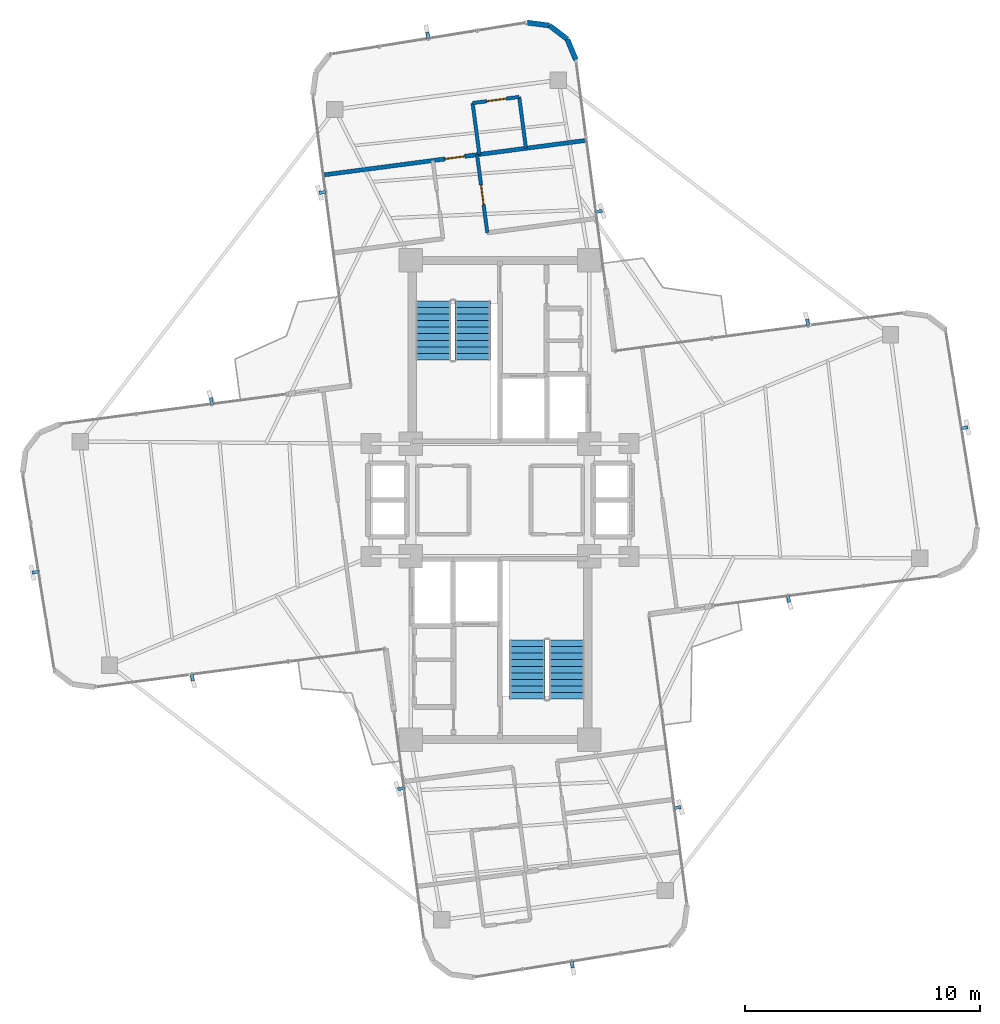
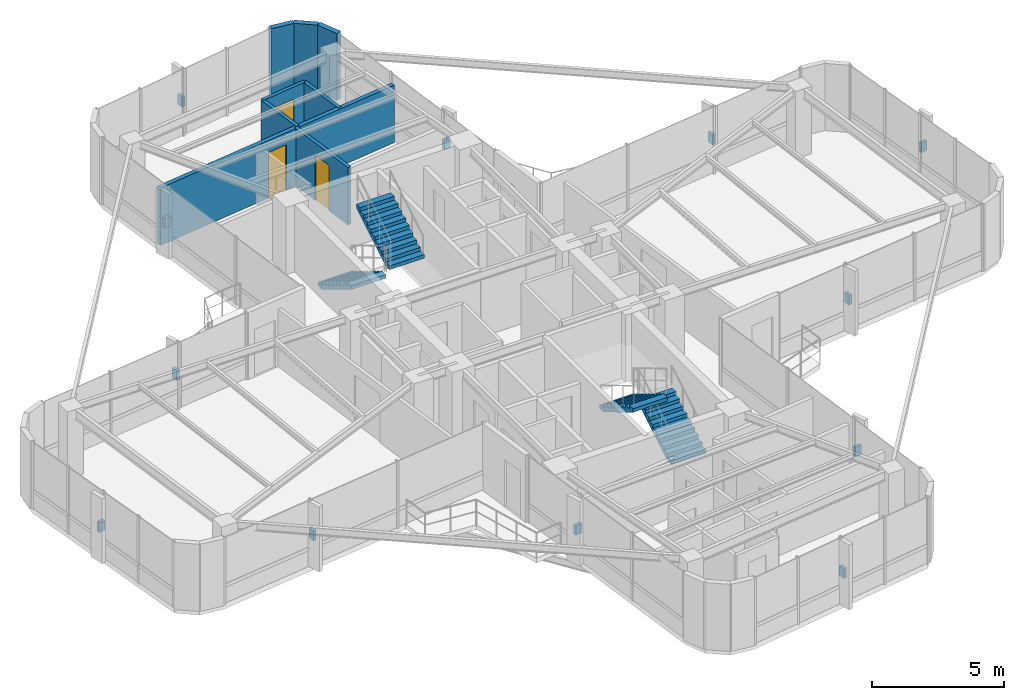
# One storey, part 20 of 21: 12 discrete accessories, 8 walls, 4 stair flights, 3 doors, 3 openings, 2 elements without a shape of their own.
"""IFC4 building model written with IfcOpenShell, lengths in metres."""

from ifc_helpers import new_model, si_unit, direction, frame, frame_2d, origin, origin_2d, place, context, subcontext, project, spatial, polyline, rectangle, outline, extrude, source, transform, mapped, material, layer, layer_set, type_object, element, fill, aggregate, save


model = new_model("IFC4")

# Units and contexts
model_context = context("Model", 3, precision=1e-05, world=origin(), true_north=direction((0.0, 1.0)))
body_context = subcontext(model_context, "Body", "Model", "MODEL_VIEW")
ifc_project = project(units=[si_unit("LENGTHUNIT", "METRE"), si_unit("AREAUNIT", "SQUARE_METRE"), si_unit("VOLUMEUNIT", "CUBIC_METRE"), si_unit("PLANEANGLEUNIT", "RADIAN"), si_unit("MASSUNIT", "GRAM", prefix="KILO")], contexts=[model_context])

# Site, building, storey
site_placement = place(None, origin())
site = spatial("IfcSite", under=ifc_project, at=site_placement, CompositionType="ELEMENT")
building_placement = place(site_placement, origin())
building = spatial("IfcBuilding", under=site, at=building_placement, Name="Sahyath Konkavel Grand Hotel", CompositionType="ELEMENT")
storey_placement = place(building_placement, frame((0.0, 0.0, 213.199951171875)))
storey = spatial("IfcBuildingStorey", under=building, at=storey_placement, Name="L59", CompositionType="ELEMENT", Elevation=213.199951171875)

# Walls
ifc_material_1 = material(Name="Warm Buff Sandstone Insulated Concrete C40/50", Category="masonry")
ifc_layer_1 = layer(ifc_material_1, 0.219970703125)
ifc_layer_set_1 = layer_set([ifc_layer_1], Name="Warm Buff Sandstone Insulated Concrete C40/50")
wall_type_1 = type_object("IfcWallType", Name="WLL-BALC-THRESH", PredefinedType="STANDARD", material=ifc_layer_set_1)
for number, where, z_axis, x_axis, name in (
    (1, (3.232666015625, 18.732177734375, 0.0), (0.0, 0.0, 1.0), (-0.382659506909, 0.923889442397, 0.0), "L59 Rounded Corner Sandstone Pier 9"),
    (2, (2.8662109375, 19.616943359375, 0.0), (0.0, 0.0, 1.0), (-0.793343685778, 0.608774010809, 0.0), "L59 Rounded Corner Sandstone Pier 10"),
    (3, (2.1064453125, 20.199951171875, 0.0), (0.0, 0.0, 1.0), (-0.991444747987, 0.130527053476, 0.0), "L59 Rounded Corner Sandstone Pier 11"),
):
    element("IfcWall", number, at=place(storey_placement, frame(where, z_axis=z_axis, x_axis=x_axis)), inside=storey, type_object=wall_type_1, Name=name, PredefinedType="STANDARD", context=body_context, shape_type="SweptSolid", body=[
        extrude(rectangle(XDim=0.957763671875, YDim=0.219970703125, at=frame_2d((0.47900390625, 0.0))), origin(), (0.0, 0.0, 1.0), 3.110107421875),
    ])

# Wall, opening, door
ifc_material_2 = material(Name="Twin-Stud Acoustic Gypsum Plasterboard Partition")
ifc_layer_2 = layer(ifc_material_2, 0.179931640625)
ifc_layer_set_2 = layer_set([ifc_layer_2], Name="Twin-Stud Acoustic Gypsum Plasterboard Partition")
wall_type_2 = type_object("IfcWallType", Name="WLL-DEMISE-180", PredefinedType="PARTITIONING", material=ifc_layer_set_2)
wall_1_placement = place(storey_placement, frame((3.63330078125, 15.30517578125, 0.0), z_axis=(0.0, 0.0, 1.0), x_axis=(-0.991444350479, -0.130530072791, 0.0)))
wall_1 = element("IfcWall", 4, at=wall_1_placement, inside=storey, type_object=wall_type_2, Name="L59 Partition N-NTIP-END", PredefinedType="PARTITIONING", context=body_context, shape_type="SweptSolid", body=[
    extrude(rectangle(XDim=11.19970703125, YDim=0.179931640625, at=frame_2d((5.599853515625, 0.0))), origin(), (0.0, 0.0, 1.0), 2.66015625),
])
opening_1_placement = place(wall_1_placement, frame((5.175048828125, 0.0, 0.0)))
opening_1 = element("IfcOpeningElement", 5, at=opening_1_placement, cuts=wall_1, Name="Opening D-F06D", PredefinedType="OPENING", context=body_context, shape_type="SweptSolid", body=[
    extrude(rectangle(XDim=0.85009765625, YDim=2.10009765625, at=frame_2d((0.425048828125, 1.050048828125))), frame((0.0, 0.10009765625, 0.0), z_axis=(0.0, -1.0, 0.0), x_axis=(1.0, 0.0, 0.0)), (0.0, 0.0, 1.0), 0.199951171875),
])
ifc_material_3 = material(Name="Fire-Rated Shaft Access Door")
door_type_1 = type_object("IfcDoorType", Name="DR-FD60-850", OperationType="NOTDEFINED", PredefinedType="DOOR", material=ifc_material_3)
shared_shape_1 = source(origin(), body_context, "Body", "SweptSolid", [
    extrude(rectangle(XDim=0.85009765625, YDim=0.050048828125, at=origin_2d()), origin(), (0.0, 0.0, 1.0), 2.10009765625),
])
door_1_placement = place(opening_1_placement, frame((0.425048828125, 0.0, 0.0)))
door_1 = element("IfcDoor", 6, at=door_1_placement, inside=storey, type_object=door_type_1, Name="L59 Door N-NTIP-ED", OperationType="SINGLE_SWING_RIGHT", OverallHeight=2.10009765625, OverallWidth=0.85009765625, PredefinedType="DOOR", context=body_context, shape_type="MappedRepresentation", body=[
    mapped(shared_shape_1, transform((0.0, 0.0, 0.0), scale=1.0)),
])
fill(opening_1, door_1)

ifc_material_4 = material(Name="Fire-Rated Gypsum Plasterboard Partition")
ifc_layer_3 = layer(ifc_material_4, 0.14990234375)
ifc_layer_set_3 = layer_set([ifc_layer_3], Name="Fire-Rated Gypsum Plasterboard Partition")
wall_type_3 = type_object("IfcWallType", Name="WLL-PART-150", PredefinedType="PARTITIONING", material=ifc_layer_set_3)
wall_2_placement = place(storey_placement, frame((-0.53955078125, 11.376953125, 0.0), z_axis=(0.0, 0.0, 1.0), x_axis=(-0.130526150873, 0.991444866817, 0.0)))
wall_2 = element("IfcWall", 7, at=wall_2_placement, inside=storey, type_object=wall_type_3, Name="L59 Partition N-CR", PredefinedType="PARTITIONING", context=body_context, shape_type="SweptSolid", body=[
    extrude(rectangle(XDim=3.349853515625, YDim=0.14990234375, at=frame_2d((1.6748046875, 0.0))), origin(), (0.0, 0.0, 1.0), 2.66015625),
])
opening_2_placement = place(wall_2_placement, frame((1.199951171875, 0.0, 0.0)))
opening_2 = element("IfcOpeningElement", 8, at=opening_2_placement, cuts=wall_2, Name="Opening D-F06D", PredefinedType="OPENING", context=body_context, shape_type="SweptSolid", body=[
    extrude(rectangle(XDim=0.85009765625, YDim=2.10009765625, at=frame_2d((0.425048828125, 1.050048828125))), frame((0.0, 0.0849609375, 0.0), z_axis=(0.0, -1.0, 0.0), x_axis=(1.0, 0.0, 0.0)), (0.0, 0.0, 1.0), 0.169921875),
])
door_2_placement = place(opening_2_placement, frame((0.425048828125, 0.0, 0.0)))
door_2 = element("IfcDoor", 9, at=door_2_placement, inside=storey, type_object=door_type_1, Name="L59 Door N-NS3R-D", OperationType="SINGLE_SWING_RIGHT", OverallHeight=2.10009765625, OverallWidth=0.85009765625, PredefinedType="DOOR", context=body_context, shape_type="MappedRepresentation", body=[
    mapped(shared_shape_1, transform((0.0, 0.0, 0.0), scale=1.0)),
])
fill(opening_2, door_2)

# Walls
wall_3_placement = place(storey_placement, frame((-0.877685546875, 14.711181640625, 0.0), z_axis=(0.0, 0.0, 1.0), x_axis=(-0.13053183865, 0.991444117991, 0.0)))
element("IfcWall", 10, at=wall_3_placement, inside=storey, type_object=wall_type_3, Name="L59 Partition N-NTIP-BN", PredefinedType="PARTITIONING", context=body_context, shape_type="SweptSolid", body=[
    extrude(rectangle(XDim=2.205078125, YDim=0.14990234375, at=frame_2d((1.1025390625, 0.0))), origin(), (0.0, 0.0, 1.0), 2.66015625),
])
wall_4_placement = place(storey_placement, frame((1.105224609375, 14.972412109375, 0.0), z_axis=(0.0, 0.0, 1.0), x_axis=(-0.130546168268, 0.991442231272, 0.0)))
element("IfcWall", 11, at=wall_4_placement, inside=storey, type_object=wall_type_3, Name="L59 Partition N-NTIP-BS", PredefinedType="PARTITIONING", context=body_context, shape_type="SweptSolid", body=[
    extrude(rectangle(XDim=2.204833984375, YDim=0.14990234375, at=frame_2d((1.1025390625, 0.0))), origin(), (0.0, 0.0, 1.0), 2.66015625),
])

# Wall, opening, door
wall_5_placement = place(storey_placement, frame((0.8173828125, 17.158447265625, 0.0), z_axis=(0.0, 0.0, 1.0), x_axis=(-0.991449308994, -0.130492404742, 0.0)))
wall_5 = element("IfcWall", 12, at=wall_5_placement, inside=storey, type_object=wall_type_3, Name="L59 Partition N-NTIP-BE", PredefinedType="PARTITIONING", context=body_context, shape_type="SweptSolid", body=[
    extrude(rectangle(XDim=2.0, YDim=0.14990234375, at=frame_2d((1.0, 0.0))), origin(), (0.0, 0.0, 1.0), 2.66015625),
])
opening_3_placement = place(wall_5_placement, frame((0.550048828125, 0.0, 0.0)))
opening_3 = element("IfcOpeningElement", 13, at=opening_3_placement, cuts=wall_5, Name="Opening D-BT85", PredefinedType="OPENING", context=body_context, shape_type="SweptSolid", body=[
    extrude(rectangle(XDim=0.85009765625, YDim=2.10009765625, at=frame_2d((0.425048828125, 1.050048828125))), frame((0.0, 0.0849609375, 0.0), z_axis=(0.0, -1.0, 0.0), x_axis=(1.0, 0.0, 0.0)), (0.0, 0.0, 1.0), 0.169921875),
])
ifc_material_5 = material(Name="Moisture-Resistant Teak Bathroom Door")
door_type_2 = type_object("IfcDoorType", Name="DR-BATH-850", OperationType="NOTDEFINED", PredefinedType="DOOR", material=ifc_material_5)
door_3_placement = place(opening_3_placement, frame((0.425048828125, 0.0, 0.0)))
door_3 = element("IfcDoor", 14, at=door_3_placement, inside=storey, type_object=door_type_2, Name="L59 Door N-NTIP-BD", OperationType="SINGLE_SWING_LEFT", OverallHeight=2.10009765625, OverallWidth=0.85009765625, PredefinedType="DOOR", context=body_context, shape_type="MappedRepresentation", body=[
    mapped(shared_shape_1, transform((0.0, 0.0, 0.0), scale=1.0)),
])
fill(opening_3, door_3)

# Stair, stair flights
ifc_material_6 = material(Name="Concrete C40/50", Category="concrete")
stair_type = type_object("IfcStairType", Name="STR-ST16-335", PredefinedType="HALF_TURN_STAIR", material=ifc_material_6)
stair_1_placement = place(storey_placement, origin())
stair_1 = element("IfcStair", 15, at=stair_1_placement, inside=storey, type_object=stair_type, Name="L59 North Core Smokeproof Exit Stair ST-1", PredefinedType="HALF_TURN_STAIR")
stair_flight_type = type_object("IfcStairFlightType", Name="STF-ST16-335", PredefinedType="STRAIGHT", material=ifc_material_6)
stair_flight_1_placement = place(storey_placement, frame((-2.840087890625, 8.47998046875, 0.0), z_axis=(0.0, 0.0, 1.0), x_axis=(0.0, -1.0, 0.0)))
stair_flight_1 = element("IfcStairFlight", 16, at=stair_flight_1_placement, type_object=stair_flight_type, Name="ST-1 flight 1", NumberOfRisers=10, NumberOfTreads=9, PredefinedType="STRAIGHT", RiserHeight=0.1675, TreadLength=0.28, context=body_context, shape_type="SweptSolid", body=[
    extrude(outline(polyline([(0.0, 0.0), (0.0, 0.16748046875), (0.280029296875, 0.16748046875), (0.280029296875, 0.3349609375), (0.56005859375, 0.3349609375), (0.56005859375, 0.50244140625), (0.840087890625, 0.50244140625), (0.840087890625, 0.669921875), (1.1201171875, 0.669921875), (1.1201171875, 0.83740234375), (1.39990234375, 0.83740234375), (1.39990234375, 1.0048828125), (1.679931640625, 1.0048828125), (1.679931640625, 1.172607421875), (1.9599609375, 1.172607421875), (1.9599609375, 1.340087890625), (2.239990234375, 1.340087890625), (2.239990234375, 1.507568359375), (2.52001953125, 1.507568359375), (2.52001953125, 1.675048828125), (2.52001953125, 1.332763671875), (0.2919921875, 0.0), (0.0, 0.0)])), frame((0.0, 0.760009765625, 0.0), z_axis=(0.0, -1.0, 0.0), x_axis=(1.0, 0.0, 0.0)), (0.0, 0.0, 1.0), 1.52001953125),
])
stair_flight_2_placement = place(storey_placement, frame((-1.159912109375, 5.9599609375, 1.675048828125), z_axis=(0.0, 0.0, 1.0), x_axis=(0.0, 1.0, 0.0)))
stair_flight_2 = element("IfcStairFlight", 17, at=stair_flight_2_placement, type_object=stair_flight_type, Name="ST-1 flight 2", NumberOfRisers=10, NumberOfTreads=9, PredefinedType="STRAIGHT", RiserHeight=0.1675, TreadLength=0.28, context=body_context, shape_type="SweptSolid", body=[
    extrude(outline(polyline([(0.0, 0.0), (0.0, 0.16748046875), (0.280029296875, 0.16748046875), (0.280029296875, 0.3349609375), (0.56005859375, 0.3349609375), (0.56005859375, 0.50244140625), (0.840087890625, 0.50244140625), (0.840087890625, 0.669921875), (1.1201171875, 0.669921875), (1.1201171875, 0.83740234375), (1.39990234375, 0.83740234375), (1.39990234375, 1.0048828125), (1.679931640625, 1.0048828125), (1.679931640625, 1.172607421875), (1.9599609375, 1.172607421875), (1.9599609375, 1.340087890625), (2.239990234375, 1.340087890625), (2.239990234375, 1.507568359375), (2.52001953125, 1.507568359375), (2.52001953125, 1.675048828125), (2.52001953125, 1.332763671875), (0.2919921875, 0.0), (0.0, 0.0)])), frame((0.0, 0.760009765625, 0.0), z_axis=(0.0, -1.0, 0.0), x_axis=(1.0, 0.0, 0.0)), (0.0, 0.0, 1.0), 1.52001953125),
])
aggregate(stair_1, [stair_flight_1, stair_flight_2])

stair_2_placement = place(storey_placement, origin())
stair_2 = element("IfcStair", 18, at=stair_2_placement, inside=storey, type_object=stair_type, Name="L59 South Core Smokeproof Exit Stair ST-2", PredefinedType="HALF_TURN_STAIR")
stair_flight_3_placement = place(storey_placement, frame((2.840087890625, -8.47998046875, 0.0), z_axis=(0.0, 0.0, 1.0), x_axis=(0.0, 1.0, 0.0)))
stair_flight_3 = element("IfcStairFlight", 19, at=stair_flight_3_placement, type_object=stair_flight_type, Name="ST-2 flight 1", NumberOfRisers=10, NumberOfTreads=9, PredefinedType="STRAIGHT", RiserHeight=0.1675, TreadLength=0.28, context=body_context, shape_type="SweptSolid", body=[
    extrude(outline(polyline([(0.0, 0.0), (0.0, 0.16748046875), (0.280029296875, 0.16748046875), (0.280029296875, 0.3349609375), (0.56005859375, 0.3349609375), (0.56005859375, 0.50244140625), (0.840087890625, 0.50244140625), (0.840087890625, 0.669921875), (1.1201171875, 0.669921875), (1.1201171875, 0.83740234375), (1.39990234375, 0.83740234375), (1.39990234375, 1.0048828125), (1.679931640625, 1.0048828125), (1.679931640625, 1.172607421875), (1.9599609375, 1.172607421875), (1.9599609375, 1.340087890625), (2.239990234375, 1.340087890625), (2.239990234375, 1.507568359375), (2.52001953125, 1.507568359375), (2.52001953125, 1.675048828125), (2.52001953125, 1.332763671875), (0.2919921875, 0.0), (0.0, 0.0)])), frame((0.0, 0.760009765625, 0.0), z_axis=(0.0, -1.0, 0.0), x_axis=(1.0, 0.0, 0.0)), (0.0, 0.0, 1.0), 1.52001953125),
])
stair_flight_4_placement = place(storey_placement, frame((1.159912109375, -5.9599609375, 1.675048828125), z_axis=(0.0, 0.0, 1.0), x_axis=(0.0, -1.0, 0.0)))
stair_flight_4 = element("IfcStairFlight", 20, at=stair_flight_4_placement, type_object=stair_flight_type, Name="ST-2 flight 2", NumberOfRisers=10, NumberOfTreads=9, PredefinedType="STRAIGHT", RiserHeight=0.1675, TreadLength=0.28, context=body_context, shape_type="SweptSolid", body=[
    extrude(outline(polyline([(0.0, 0.0), (0.0, 0.16748046875), (0.280029296875, 0.16748046875), (0.280029296875, 0.3349609375), (0.56005859375, 0.3349609375), (0.56005859375, 0.50244140625), (0.840087890625, 0.50244140625), (0.840087890625, 0.669921875), (1.1201171875, 0.669921875), (1.1201171875, 0.83740234375), (1.39990234375, 0.83740234375), (1.39990234375, 1.0048828125), (1.679931640625, 1.0048828125), (1.679931640625, 1.172607421875), (1.9599609375, 1.172607421875), (1.9599609375, 1.340087890625), (2.239990234375, 1.340087890625), (2.239990234375, 1.507568359375), (2.52001953125, 1.507568359375), (2.52001953125, 1.675048828125), (2.52001953125, 1.332763671875), (0.2919921875, 0.0), (0.0, 0.0)])), frame((0.0, 0.760009765625, 0.0), z_axis=(0.0, -1.0, 0.0), x_axis=(1.0, 0.0, 0.0)), (0.0, 0.0, 1.0), 1.52001953125),
])
aggregate(stair_2, [stair_flight_3, stair_flight_4])

# Discrete accessories
ifc_material_7 = material(Name="Steel E350", Category="steel")
discrete_accessory_type = type_object("IfcDiscreteAccessoryType", Name="ACC-FIN-BRACKET", PredefinedType="BRACKET", material=ifc_material_7)
shared_shape_2 = source(origin(), body_context, "Body", "SweptSolid", [
    extrude(rectangle(XDim=0.280029296875, YDim=0.139892578125, at=origin_2d()), origin(), (0.0, 0.0, 1.0), 0.449951171875),
])
for number, where, z_axis, x_axis, name in (
    (21, (12.284912109375, -4.212646484375, 1.330078125), (0.0, 0.0, 1.0), (0.13052619222, -0.991444861374, 0.0), "L59 Fin Support Bracket F0-1"),
    (22, (19.77392578125, 3.073486328125, 1.330078125), (0.0, 0.0, 1.0), (0.98723096667, 0.159295381124, 0.0), "L59 Fin Support Bracket F4-2"),
    (23, (13.095947265625, 7.553955078125, 1.330078125), (0.0, 0.0, 1.0), (-0.13052619222, 0.991444861374, 0.0), "L59 Fin Support Bracket F7-1"),
    (24, (4.212646484375, 12.284912109375, 1.330078125), (0.0, 0.0, 1.0), (0.991444861374, 0.13052619222, 0.0), "L59 Fin Support Bracket F8-1"),
    (25, (-3.073486328125, 19.77392578125, 1.330078125), (0.0, 0.0, 1.0), (-0.159295381124, 0.98723096667, 0.0), "L59 Fin Support Bracket F12-2"),
    (26, (-7.553955078125, 13.095947265625, 1.330078125), (0.0, 0.0, 1.0), (-0.991444861374, -0.13052619222, 0.0), "L59 Fin Support Bracket F15-1"),
    (27, (-12.284912109375, 4.212646484375, 1.330078125), (0.0, 0.0, 1.0), (-0.13052619222, 0.991444861374, 0.0), "L59 Fin Support Bracket F16-1"),
    (28, (-19.77392578125, -3.073486328125, 1.330078125), (0.0, 0.0, 1.0), (-0.98723096667, -0.159295381124, 0.0), "L59 Fin Support Bracket F20-2"),
    (29, (-13.095947265625, -7.553955078125, 1.330078125), (0.0, 0.0, 1.0), (0.13052619222, -0.991444861374, 0.0), "L59 Fin Support Bracket F23-1"),
    (30, (-4.212646484375, -12.284912109375, 1.330078125), (0.0, 0.0, 1.0), (-0.991444861374, -0.13052619222, 0.0), "L59 Fin Support Bracket F24-1"),
    (31, (3.073486328125, -19.77392578125, 1.330078125), (0.0, 0.0, 1.0), (0.159295381124, -0.98723096667, 0.0), "L59 Fin Support Bracket F28-2"),
    (32, (7.553955078125, -13.095947265625, 1.330078125), (0.0, 0.0, 1.0), (0.991444861374, 0.13052619222, 0.0), "L59 Fin Support Bracket F31-1"),
):
    element("IfcDiscreteAccessory", number, at=place(storey_placement, frame(where, z_axis=z_axis, x_axis=x_axis)), inside=storey, type_object=discrete_accessory_type, Name=name, PredefinedType="BRACKET", context=body_context, shape_type="MappedRepresentation", body=[
        mapped(shared_shape_2, transform((0.0, 0.0, 0.0), scale=1.0)),
    ])

save(model, "model.ifc")
